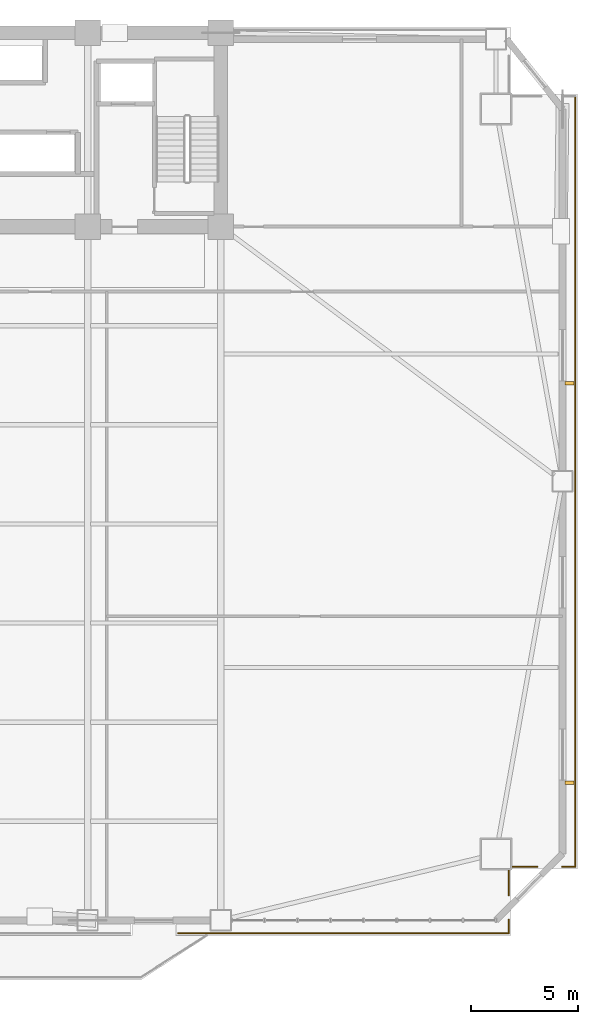
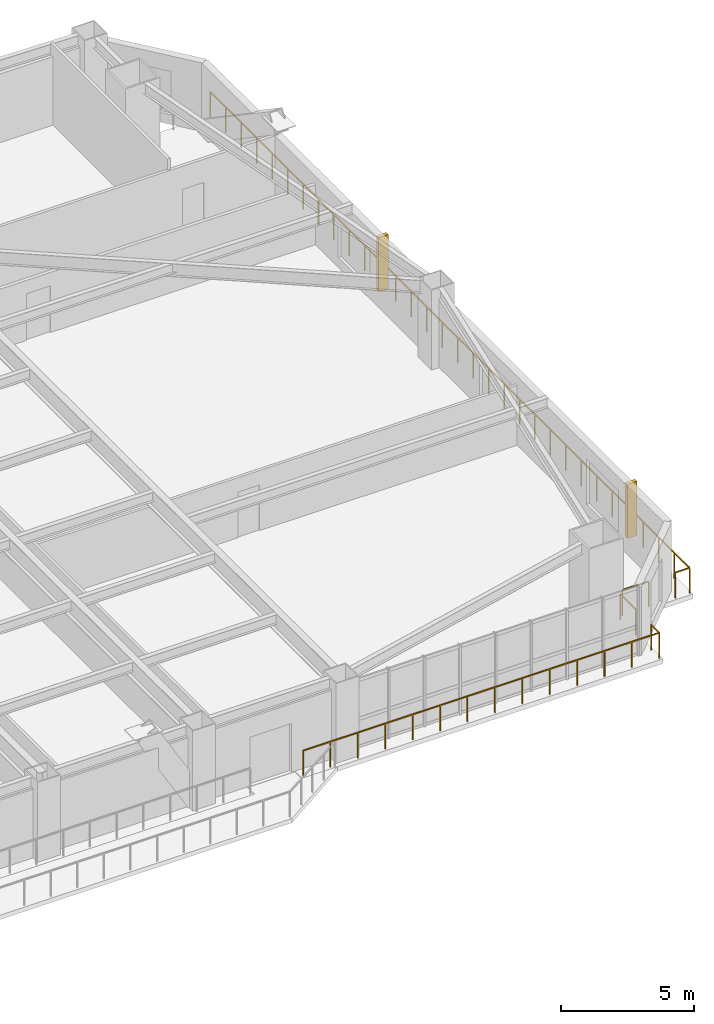
# One storey, part 15 of 18: 6 railings, 2 shading devices.
"""IFC4 building model written with IfcOpenShell, lengths in metres."""

from ifc_helpers import new_model, si_unit, direction, frame, origin, origin_2d, place, context, subcontext, project, spatial, rectangle, extrude, source, transform, mapped, material, type_object, element, save


model = new_model("IFC4")

# Units and contexts
model_context = context("Model", 3, precision=1e-05, world=origin(), true_north=direction((0.0, 1.0)))
body_context = subcontext(model_context, "Body", "Model", "MODEL_VIEW")
ifc_project = project(units=[si_unit("LENGTHUNIT", "METRE"), si_unit("AREAUNIT", "SQUARE_METRE"), si_unit("VOLUMEUNIT", "CUBIC_METRE"), si_unit("PLANEANGLEUNIT", "RADIAN"), si_unit("MASSUNIT", "GRAM", prefix="KILO")], contexts=[model_context])

# Site, building, storey
site_placement = place(None, origin())
site = spatial("IfcSite", under=ifc_project, at=site_placement, CompositionType="ELEMENT")
building_placement = place(site_placement, origin())
building = spatial("IfcBuilding", under=site, at=building_placement, Name="Giltprow Tower", CompositionType="ELEMENT")
storey_placement = place(building_placement, frame((0.0, 0.0, 61.10009765625)))
storey = spatial("IfcBuildingStorey", under=building, at=storey_placement, Name="L15", CompositionType="ELEMENT", Elevation=61.10009765625)

# Railings
ifc_material = material(Name="Anodized bronze", Category="metal")
railing_type = type_object("IfcRailingType", Name="RAIL-BALC-GUARD-1200", PredefinedType="BALUSTRADE", material=ifc_material)
railing_1_placement = place(storey_placement, frame((67.196044921875, 43.577880859375, 0.0)))
element("IfcRailing", 1, at=railing_1_placement, inside=storey, type_object=railing_type, Name="L15 Corner Apron Edge Balustrade 14", PredefinedType="BALUSTRADE", context=body_context, shape_type="SweptSolid", body=[
    extrude(rectangle(XDim=0.048095703125, YDim=0.048095703125, at=origin_2d()), frame((0.0, 0.0, 1.17578125), z_axis=(0.0, -1.0, 0.0), x_axis=(1.0, 0.0, 0.0)), (0.0, 0.0, 1.0), 36.173828125),
    extrude(rectangle(XDim=0.0419921875, YDim=0.0419921875, at=origin_2d()), origin(), (0.0, 0.0, 1.0), 1.15185546875),
    extrude(rectangle(XDim=0.0419921875, YDim=0.0419921875, at=origin_2d()), frame((0.0, -1.1669921875, 0.0)), (0.0, 0.0, 1.0), 1.15185546875),
    extrude(rectangle(XDim=0.0419921875, YDim=0.0419921875, at=origin_2d()), frame((0.0, -2.333740234375, 0.0)), (0.0, 0.0, 1.0), 1.15185546875),
    extrude(rectangle(XDim=0.0419921875, YDim=0.0419921875, at=origin_2d()), frame((0.0, -3.500732421875, 0.0)), (0.0, 0.0, 1.0), 1.15185546875),
    extrude(rectangle(XDim=0.0419921875, YDim=0.0419921875, at=origin_2d()), frame((0.0, -4.66748046875, 0.0)), (0.0, 0.0, 1.0), 1.15185546875),
    extrude(rectangle(XDim=0.0419921875, YDim=0.0419921875, at=origin_2d()), frame((0.0, -5.83447265625, 0.0)), (0.0, 0.0, 1.0), 1.15185546875),
    extrude(rectangle(XDim=0.0419921875, YDim=0.0419921875, at=origin_2d()), frame((0.0, -7.00146484375, 0.0)), (0.0, 0.0, 1.0), 1.15185546875),
    extrude(rectangle(XDim=0.0419921875, YDim=0.0419921875, at=origin_2d()), frame((0.0, -8.168212890625, 0.0)), (0.0, 0.0, 1.0), 1.15185546875),
    extrude(rectangle(XDim=0.0419921875, YDim=0.0419921875, at=origin_2d()), frame((0.0, -9.335205078125, 0.0)), (0.0, 0.0, 1.0), 1.15185546875),
    extrude(rectangle(XDim=0.0419921875, YDim=0.0419921875, at=origin_2d()), frame((0.0, -10.502197265625, 0.0)), (0.0, 0.0, 1.0), 1.15185546875),
    extrude(rectangle(XDim=0.0419921875, YDim=0.0419921875, at=origin_2d()), frame((0.0, -11.6689453125, 0.0)), (0.0, 0.0, 1.0), 1.15185546875),
    extrude(rectangle(XDim=0.0419921875, YDim=0.0419921875, at=origin_2d()), frame((0.0, -12.8359375, 0.0)), (0.0, 0.0, 1.0), 1.15185546875),
    extrude(rectangle(XDim=0.0419921875, YDim=0.0419921875, at=origin_2d()), frame((0.0, -14.002685546875, 0.0)), (0.0, 0.0, 1.0), 1.15185546875),
    extrude(rectangle(XDim=0.0419921875, YDim=0.0419921875, at=origin_2d()), frame((0.0, -15.169677734375, 0.0)), (0.0, 0.0, 1.0), 1.15185546875),
    extrude(rectangle(XDim=0.0419921875, YDim=0.0419921875, at=origin_2d()), frame((0.0, -16.336669921875, 0.0)), (0.0, 0.0, 1.0), 1.15185546875),
    extrude(rectangle(XDim=0.0419921875, YDim=0.0419921875, at=origin_2d()), frame((0.0, -17.50341796875, 0.0)), (0.0, 0.0, 1.0), 1.15185546875),
    extrude(rectangle(XDim=0.0419921875, YDim=0.0419921875, at=origin_2d()), frame((0.0, -18.67041015625, 0.0)), (0.0, 0.0, 1.0), 1.15185546875),
    extrude(rectangle(XDim=0.0419921875, YDim=0.0419921875, at=origin_2d()), frame((0.0, -19.837158203125, 0.0)), (0.0, 0.0, 1.0), 1.15185546875),
    extrude(rectangle(XDim=0.0419921875, YDim=0.0419921875, at=origin_2d()), frame((0.0, -21.004150390625, 0.0)), (0.0, 0.0, 1.0), 1.15185546875),
    extrude(rectangle(XDim=0.0419921875, YDim=0.0419921875, at=origin_2d()), frame((0.0, -22.171142578125, 0.0)), (0.0, 0.0, 1.0), 1.15185546875),
    extrude(rectangle(XDim=0.0419921875, YDim=0.0419921875, at=origin_2d()), frame((0.0, -23.337890625, 0.0)), (0.0, 0.0, 1.0), 1.15185546875),
    extrude(rectangle(XDim=0.0419921875, YDim=0.0419921875, at=origin_2d()), frame((0.0, -24.5048828125, 0.0)), (0.0, 0.0, 1.0), 1.15185546875),
    extrude(rectangle(XDim=0.0419921875, YDim=0.0419921875, at=origin_2d()), frame((0.0, -25.671630859375, 0.0)), (0.0, 0.0, 1.0), 1.15185546875),
    extrude(rectangle(XDim=0.0419921875, YDim=0.0419921875, at=origin_2d()), frame((0.0, -26.838623046875, 0.0)), (0.0, 0.0, 1.0), 1.15185546875),
    extrude(rectangle(XDim=0.0419921875, YDim=0.0419921875, at=origin_2d()), frame((0.0, -28.005615234375, 0.0)), (0.0, 0.0, 1.0), 1.15185546875),
    extrude(rectangle(XDim=0.0419921875, YDim=0.0419921875, at=origin_2d()), frame((0.0, -29.17236328125, 0.0)), (0.0, 0.0, 1.0), 1.15185546875),
    extrude(rectangle(XDim=0.0419921875, YDim=0.0419921875, at=origin_2d()), frame((0.0, -30.33935546875, 0.0)), (0.0, 0.0, 1.0), 1.15185546875),
    extrude(rectangle(XDim=0.0419921875, YDim=0.0419921875, at=origin_2d()), frame((0.0, -31.50634765625, 0.0)), (0.0, 0.0, 1.0), 1.15185546875),
    extrude(rectangle(XDim=0.0419921875, YDim=0.0419921875, at=origin_2d()), frame((0.0, -32.673095703125, 0.0)), (0.0, 0.0, 1.0), 1.15185546875),
    extrude(rectangle(XDim=0.0419921875, YDim=0.0419921875, at=origin_2d()), frame((0.0, -33.840087890625, 0.0)), (0.0, 0.0, 1.0), 1.15185546875),
    extrude(rectangle(XDim=0.0419921875, YDim=0.0419921875, at=origin_2d()), frame((0.0, -35.0068359375, 0.0)), (0.0, 0.0, 1.0), 1.15185546875),
    extrude(rectangle(XDim=0.0419921875, YDim=0.0419921875, at=origin_2d()), frame((0.0, -36.173828125, 0.0)), (0.0, 0.0, 1.0), 1.15185546875),
])
railing_2_placement = place(storey_placement, frame((67.196044921875, 7.404052734375, 0.0)))
element("IfcRailing", 2, at=railing_2_placement, inside=storey, type_object=railing_type, Name="L15 Corner Apron Edge Balustrade 15", PredefinedType="BALUSTRADE", context=body_context, shape_type="SweptSolid", body=[
    extrude(rectangle(XDim=0.048095703125, YDim=0.048095703125, at=origin_2d()), frame((0.0, 0.0, 1.17578125), z_axis=(-1.0, 0.0, 0.0), x_axis=(0.0, -1.0, 0.0)), (0.0, 0.0, 1.0), 0.6201171875),
    extrude(rectangle(XDim=0.0419921875, YDim=0.0419921875, at=origin_2d()), origin(), (0.0, 0.0, 1.0), 1.15185546875),
    extrude(rectangle(XDim=0.0419921875, YDim=0.0419921875, at=origin_2d()), frame((-0.6201171875, 0.0, 0.0)), (0.0, 0.0, 1.0), 1.15185546875),
])
railing_3_placement = place(storey_placement, frame((65.416015625, 7.404052734375, 0.0)))
element("IfcRailing", 3, at=railing_3_placement, inside=storey, type_object=railing_type, Name="L15 Corner Apron Edge Balustrade 16", PredefinedType="BALUSTRADE", context=body_context, shape_type="SweptSolid", body=[
    extrude(rectangle(XDim=0.048095703125, YDim=0.048095703125, at=origin_2d()), frame((0.0, 0.0, 1.17578125), z_axis=(-1.0, 0.0, 0.0), x_axis=(0.0, -1.0, 0.0)), (0.0, 0.0, 1.0), 1.156982421875),
    extrude(rectangle(XDim=0.0419921875, YDim=0.0419921875, at=origin_2d()), origin(), (0.0, 0.0, 1.0), 1.15185546875),
    extrude(rectangle(XDim=0.0419921875, YDim=0.0419921875, at=origin_2d()), frame((-1.156982421875, 0.0, 0.0)), (0.0, 0.0, 1.0), 1.15185546875),
])
railing_4_placement = place(storey_placement, frame((64.073974609375, 7.218994140625, 0.0)))
element("IfcRailing", 4, at=railing_4_placement, inside=storey, type_object=railing_type, Name="L15 Corner Apron Edge Balustrade 17", PredefinedType="BALUSTRADE", context=body_context, shape_type="SweptSolid", body=[
    extrude(rectangle(XDim=0.048095703125, YDim=0.048095703125, at=origin_2d()), frame((0.0, 0.0, 1.17578125), z_axis=(0.0, -1.0, 0.0), x_axis=(1.0, 0.0, 0.0)), (0.0, 0.0, 1.0), 1.156982421875),
    extrude(rectangle(XDim=0.0419921875, YDim=0.0419921875, at=origin_2d()), origin(), (0.0, 0.0, 1.0), 1.15185546875),
    extrude(rectangle(XDim=0.0419921875, YDim=0.0419921875, at=origin_2d()), frame((0.0, -1.156982421875, 0.0)), (0.0, 0.0, 1.0), 1.15185546875),
])
railing_5_placement = place(storey_placement, frame((64.073974609375, 4.902099609375, 0.0)))
element("IfcRailing", 5, at=railing_5_placement, inside=storey, type_object=railing_type, Name="L15 Corner Apron Edge Balustrade 18", PredefinedType="BALUSTRADE", context=body_context, shape_type="SweptSolid", body=[
    extrude(rectangle(XDim=0.048095703125, YDim=0.048095703125, at=origin_2d()), frame((0.0, 0.0, 1.17578125), z_axis=(0.0, -1.0, 0.0), x_axis=(1.0, 0.0, 0.0)), (0.0, 0.0, 1.0), 0.6201171875),
    extrude(rectangle(XDim=0.0419921875, YDim=0.0419921875, at=origin_2d()), origin(), (0.0, 0.0, 1.0), 1.15185546875),
    extrude(rectangle(XDim=0.0419921875, YDim=0.0419921875, at=origin_2d()), frame((0.0, -0.6201171875, 0.0)), (0.0, 0.0, 1.0), 1.15185546875),
])
railing_6_placement = place(storey_placement, frame((64.073974609375, 4.281982421875, 0.0)))
element("IfcRailing", 6, at=railing_6_placement, inside=storey, type_object=railing_type, Name="L15 Corner Apron Edge Balustrade 19", PredefinedType="BALUSTRADE", context=body_context, shape_type="SweptSolid", body=[
    extrude(rectangle(XDim=0.048095703125, YDim=0.048095703125, at=origin_2d()), frame((0.0, 0.0, 1.17578125), z_axis=(-1.0, 0.0, 0.0), x_axis=(0.0, -1.0, 0.0)), (0.0, 0.0, 1.0), 15.52392578125),
    extrude(rectangle(XDim=0.0419921875, YDim=0.0419921875, at=origin_2d()), origin(), (0.0, 0.0, 1.0), 1.15185546875),
    extrude(rectangle(XDim=0.0419921875, YDim=0.0419921875, at=origin_2d()), frame((-1.194091796875, 0.0, 0.0)), (0.0, 0.0, 1.0), 1.15185546875),
    extrude(rectangle(XDim=0.0419921875, YDim=0.0419921875, at=origin_2d()), frame((-2.38818359375, 0.0, 0.0)), (0.0, 0.0, 1.0), 1.15185546875),
    extrude(rectangle(XDim=0.0419921875, YDim=0.0419921875, at=origin_2d()), frame((-3.58251953125, 0.0, 0.0)), (0.0, 0.0, 1.0), 1.15185546875),
    extrude(rectangle(XDim=0.0419921875, YDim=0.0419921875, at=origin_2d()), frame((-4.776611328125, 0.0, 0.0)), (0.0, 0.0, 1.0), 1.15185546875),
    extrude(rectangle(XDim=0.0419921875, YDim=0.0419921875, at=origin_2d()), frame((-5.970703125, 0.0, 0.0)), (0.0, 0.0, 1.0), 1.15185546875),
    extrude(rectangle(XDim=0.0419921875, YDim=0.0419921875, at=origin_2d()), frame((-7.164794921875, 0.0, 0.0)), (0.0, 0.0, 1.0), 1.15185546875),
    extrude(rectangle(XDim=0.0419921875, YDim=0.0419921875, at=origin_2d()), frame((-8.359130859375, 0.0, 0.0)), (0.0, 0.0, 1.0), 1.15185546875),
    extrude(rectangle(XDim=0.0419921875, YDim=0.0419921875, at=origin_2d()), frame((-9.55322265625, 0.0, 0.0)), (0.0, 0.0, 1.0), 1.15185546875),
    extrude(rectangle(XDim=0.0419921875, YDim=0.0419921875, at=origin_2d()), frame((-10.747314453125, 0.0, 0.0)), (0.0, 0.0, 1.0), 1.15185546875),
    extrude(rectangle(XDim=0.0419921875, YDim=0.0419921875, at=origin_2d()), frame((-11.94140625, 0.0, 0.0)), (0.0, 0.0, 1.0), 1.15185546875),
    extrude(rectangle(XDim=0.0419921875, YDim=0.0419921875, at=origin_2d()), frame((-13.1357421875, 0.0, 0.0)), (0.0, 0.0, 1.0), 1.15185546875),
    extrude(rectangle(XDim=0.0419921875, YDim=0.0419921875, at=origin_2d()), frame((-14.329833984375, 0.0, 0.0)), (0.0, 0.0, 1.0), 1.15185546875),
    extrude(rectangle(XDim=0.0419921875, YDim=0.0419921875, at=origin_2d()), frame((-15.52392578125, 0.0, 0.0)), (0.0, 0.0, 1.0), 1.15185546875),
])

# Shading devices
shading_device_type = type_object("IfcShadingDeviceType", Name="SHD-FIN-420", PredefinedType="USERDEFINED", material=ifc_material)
shared_shape = source(origin(), body_context, "Body", "SweptSolid", [
    extrude(rectangle(XDim=0.419921875, YDim=0.159912109375, at=origin_2d()), origin(), (0.0, 0.0, 1.0), 2.5),
])
for number, where, z_axis, x_axis, name in (
    (7, (66.916015625, 11.341064453125, 0.349853515625), (0.0, 0.0, 1.0), (1.0, 0.0, 0.0), "L15 E Bronze Vertical Fin 1-1"),
    (8, (66.916015625, 30.093994140625, 0.349853515625), (0.0, 0.0, 1.0), (1.0, 0.0, 0.0), "L15 E Bronze Vertical Fin 2-1"),
):
    element("IfcShadingDevice", number, at=place(storey_placement, frame(where, z_axis=z_axis, x_axis=x_axis)), inside=storey, type_object=shading_device_type, Name=name, ObjectType="FIN", PredefinedType="USERDEFINED", context=body_context, shape_type="MappedRepresentation", body=[
        mapped(shared_shape, transform((0.0, 0.0, 0.0), x_axis=(1.0, 0.0, 0.0), y_axis=(0.0, 1.0, 0.0), z_axis=(0.0, 0.0, 1.0), scale=1.0)),
    ])

save(model, "model.ifc")
